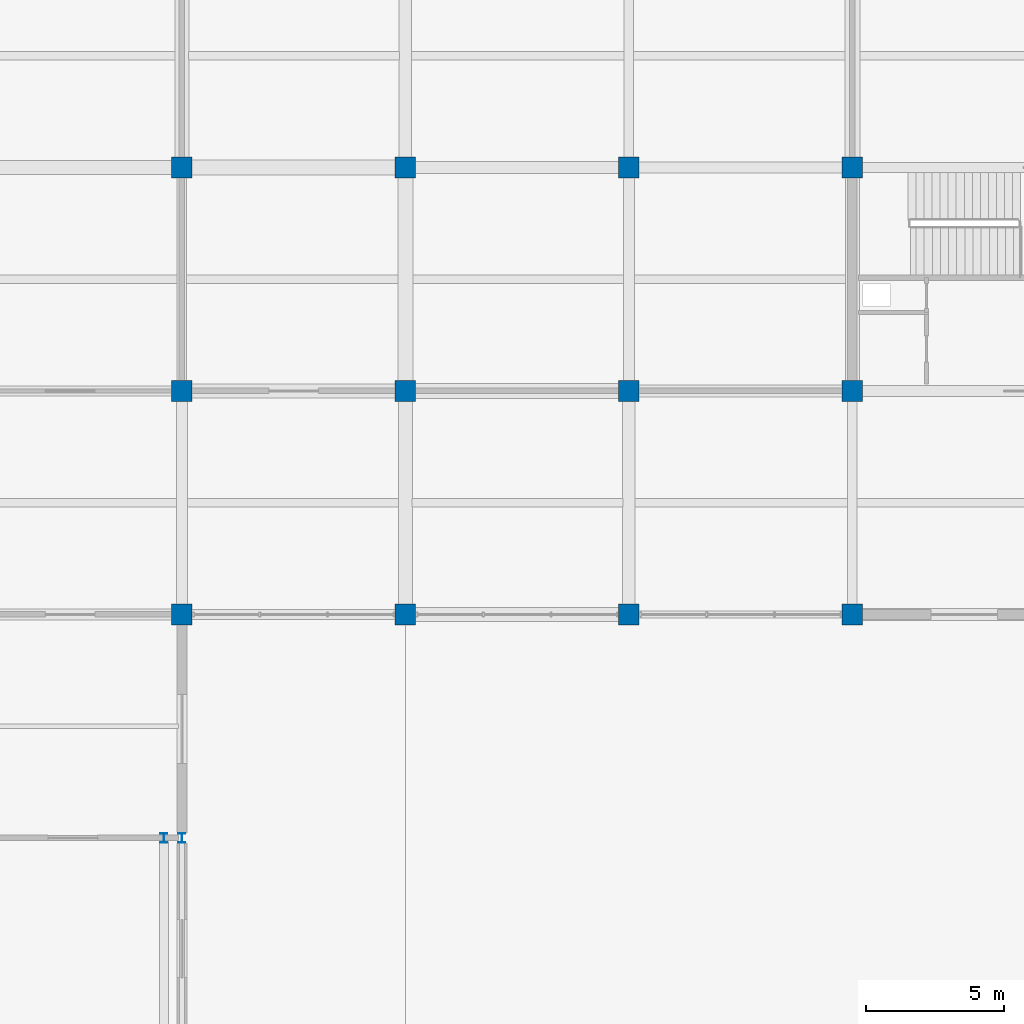
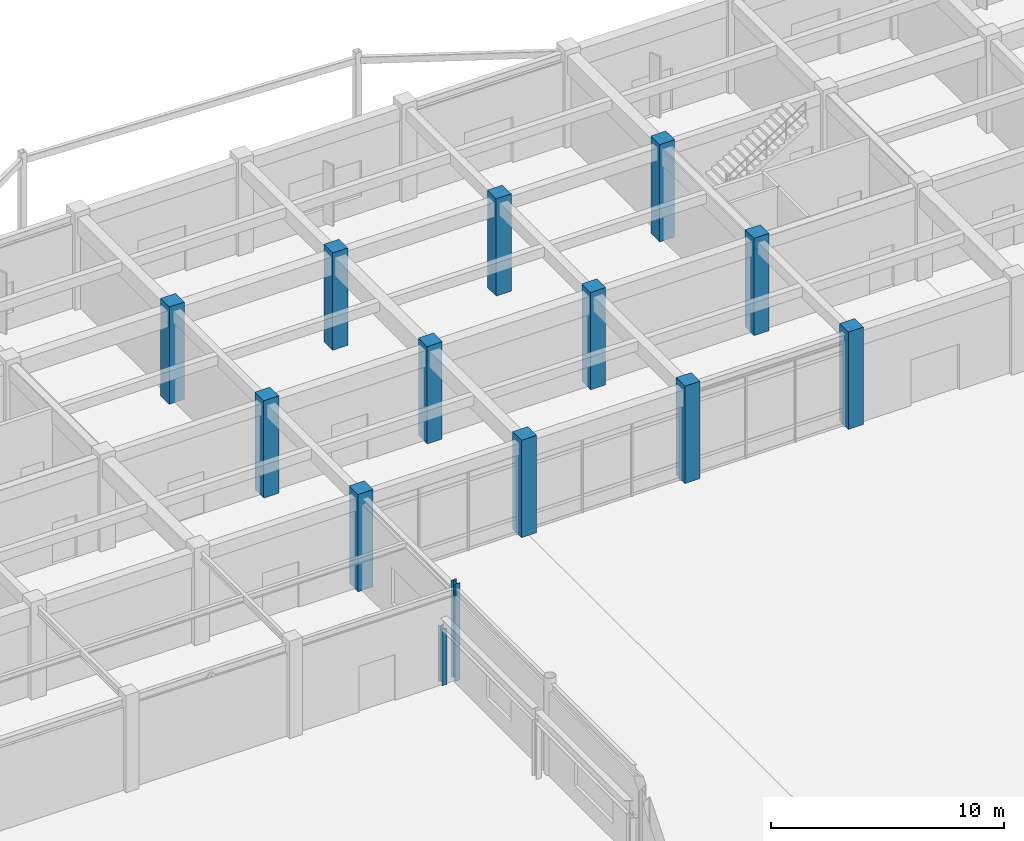
# One storey, part 10 of 99: 14 columns.
"""IFC4 building model written with IfcOpenShell, lengths in metres."""

from ifc_helpers import new_model, si_unit, direction, frame, origin, origin_2d, place, context, subcontext, project, spatial, rectangle, i_section, extrude, material, material_profile, profile_set, type_object, element, save


model = new_model("IFC4")

# Units and contexts
model_context = context("Model", 3, precision=1e-05, world=origin(), true_north=direction((0.0, 1.0)))
body_context = subcontext(model_context, "Body", "Model", "MODEL_VIEW")
ifc_project = project(units=[si_unit("LENGTHUNIT", "METRE"), si_unit("AREAUNIT", "SQUARE_METRE"), si_unit("VOLUMEUNIT", "CUBIC_METRE"), si_unit("PLANEANGLEUNIT", "RADIAN"), si_unit("MASSUNIT", "GRAM", prefix="KILO")], contexts=[model_context])

# Site, building, storey
site_placement = place(None, origin())
site = spatial("IfcSite", under=ifc_project, at=site_placement, CompositionType="ELEMENT")
building_placement = place(site_placement, origin())
building = spatial("IfcBuilding", under=site, at=building_placement, Name="Vaudrelin Polytechnic", CompositionType="ELEMENT")
storey_placement = place(building_placement, origin())
storey = spatial("IfcBuildingStorey", under=building, at=storey_placement, Name="L00", CompositionType="ELEMENT", Elevation=0.0)

# Columns
ifc_material_1 = material(Name="Concrete 50 MPa", Category="concrete")
ifc_material_profile_1 = material_profile(ifc_material_1, rectangle(XDim=0.75, YDim=0.75, at=origin_2d()), Name="RC750x750")
ifc_profile_set_1 = profile_set([ifc_material_profile_1], Name="Concrete 50 MPa")
column_type_1 = type_object("IfcColumnType", Name="COL-C-RC750", PredefinedType="COLUMN", material=ifc_profile_set_1)
for number, where, z_axis, x_axis, name in (
    (1, (32.39990234375, 97.199951171875, 0.0), (0.0, 0.0, 1.0), (1.0, 0.0, 0.0), "Column L00 5-13"),
    (2, (32.39990234375, 105.300048828125, 0.0), (0.0, 0.0, 1.0), (1.0, 0.0, 0.0), "Column L00 5-14"),
    (3, (32.39990234375, 113.39990234375, 0.0), (0.0, 0.0, 1.0), (1.0, 0.0, 0.0), "Column L00 5-15"),
    (4, (40.5, 97.199951171875, 0.0), (0.0, 0.0, 1.0), (1.0, 0.0, 0.0), "Column L00 6-13"),
    (5, (40.5, 105.300048828125, 0.0), (0.0, 0.0, 1.0), (1.0, 0.0, 0.0), "Column L00 6-14"),
    (6, (40.5, 113.39990234375, 0.0), (0.0, 0.0, 1.0), (1.0, 0.0, 0.0), "Column L00 6-15"),
    (7, (48.60009765625, 97.199951171875, 0.0), (0.0, 0.0, 1.0), (1.0, 0.0, 0.0), "Column L00 7-13"),
    (8, (48.60009765625, 105.300048828125, 0.0), (0.0, 0.0, 1.0), (1.0, 0.0, 0.0), "Column L00 7-14"),
    (9, (48.60009765625, 113.39990234375, 0.0), (0.0, 0.0, 1.0), (1.0, 0.0, 0.0), "Column L00 7-15"),
    (10, (56.699951171875, 97.199951171875, 0.0), (0.0, 0.0, 1.0), (1.0, 0.0, 0.0), "Column L00 8-13"),
    (11, (56.699951171875, 105.300048828125, 0.0), (0.0, 0.0, 1.0), (1.0, 0.0, 0.0), "Column L00 8-14"),
    (12, (56.699951171875, 113.39990234375, 0.0), (0.0, 0.0, 1.0), (1.0, 0.0, 0.0), "Column L00 8-15"),
):
    element("IfcColumn", number, at=place(storey_placement, frame(where, z_axis=z_axis, x_axis=x_axis)), inside=storey, type_object=column_type_1, Name=name, PredefinedType="COLUMN", context=body_context, shape_type="SweptSolid", body=[
        extrude(rectangle(XDim=0.75, YDim=0.75, at=origin_2d()), origin(), (0.0, 0.0, 1.0), 5.10009765625),
    ])
ifc_material_2 = material(Name="Steel CSA G40.21 350W", Category="steel")
ifc_material_profile_2 = material_profile(ifc_material_2, i_section(OverallWidth=0.25390625, OverallDepth=0.35302734375, WebThickness=0.009521484375, FlangeThickness=0.016357421875, FilletRadius=0.01611328125, at=origin_2d()), Name="W360x91")
ifc_profile_set_2 = profile_set([ifc_material_profile_2], Name="Steel CSA G40.21 350W")
column_type_2 = type_object("IfcColumnType", Name="COL-C-W360", PredefinedType="PILASTER", material=ifc_profile_set_2)
column_1_placement = place(storey_placement, frame((32.39990234375, 89.10009765625, 0.0), z_axis=(0.0, 0.0, 1.0), x_axis=(1.0, 0.0, 0.0)))
element("IfcColumn", 13, at=column_1_placement, inside=storey, type_object=column_type_2, Name="Column L00 5-12", PredefinedType="PILASTER", context=body_context, shape_type="SweptSolid", body=[
    extrude(i_section(OverallWidth=0.25390625, OverallDepth=0.35302734375, WebThickness=0.009521484375, FlangeThickness=0.016357421875, FilletRadius=0.01611328125, at=origin_2d()), origin(), (0.0, 0.0, 1.0), 5.10009765625),
])
column_2_placement = place(storey_placement, frame((31.75, 89.10009765625, 0.0), z_axis=(0.0, 0.0, 1.0), x_axis=(1.0, 0.0, 0.0)))
element("IfcColumn", 14, at=column_2_placement, inside=storey, type_object=column_type_2, Name="Crane runway support post EAST-11", PredefinedType="PILASTER", context=body_context, shape_type="SweptSolid", body=[
    extrude(i_section(OverallWidth=0.25390625, OverallDepth=0.35302734375, WebThickness=0.009521484375, FlangeThickness=0.016357421875, FilletRadius=0.01611328125, at=origin_2d()), origin(), (0.0, 0.0, 1.0), 2.943115234375),
])

save(model, "model.ifc")
